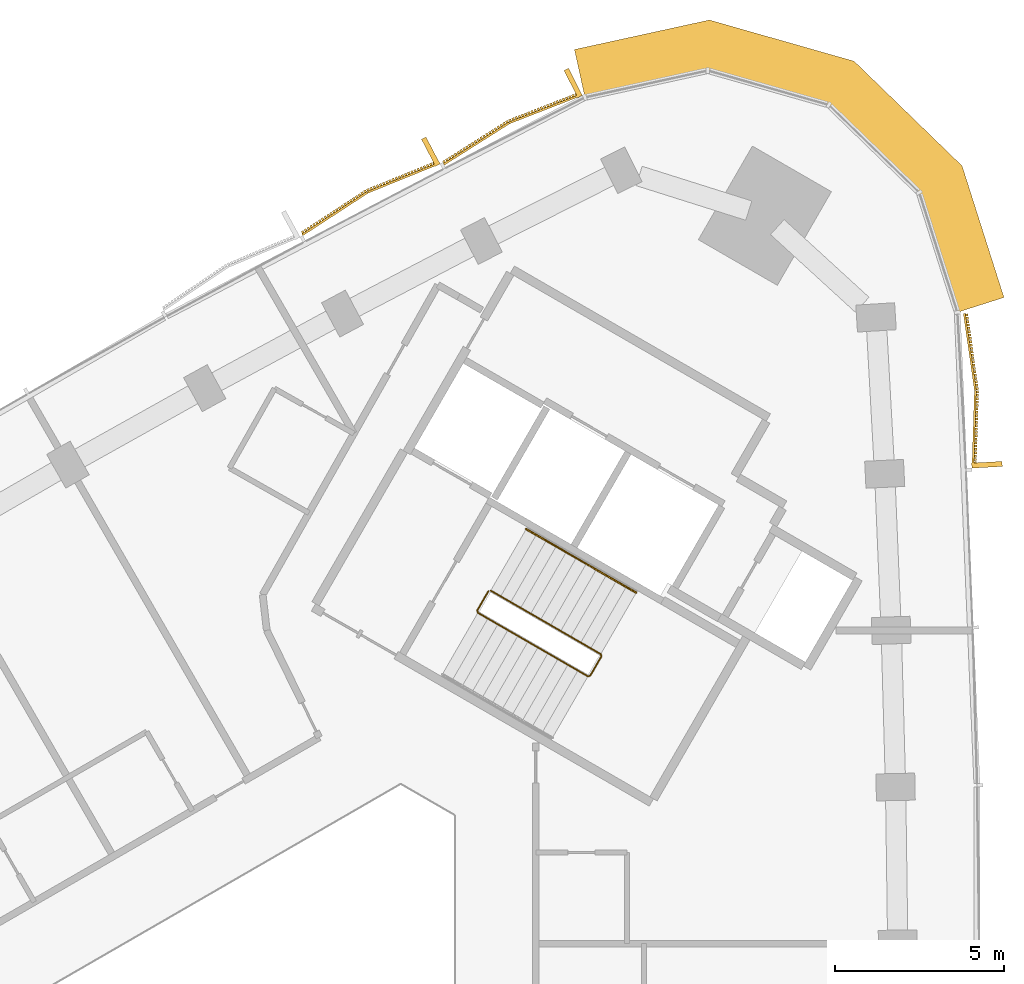
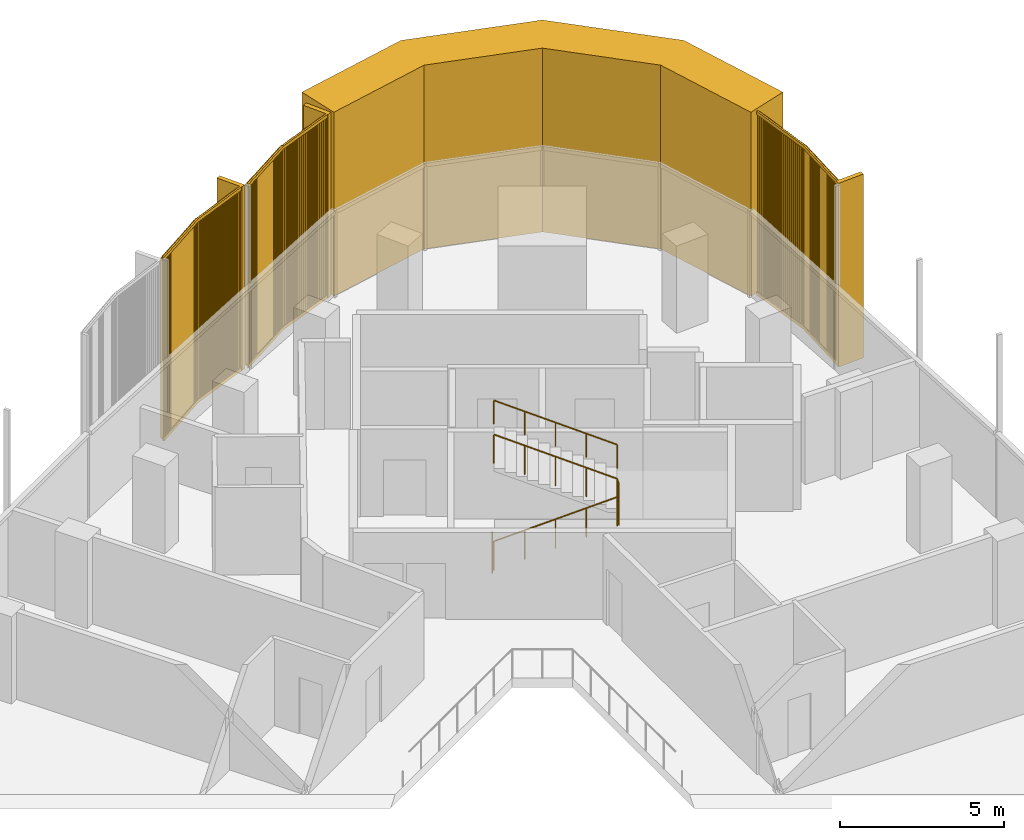
# One storey, part 13 of 13: 4 coverings, 2 railings.
"""IFC4 building model written with IfcOpenShell, lengths in metres."""

from ifc_helpers import new_model, si_unit, direction, frame, frame_2d, origin, origin_2d, place, context, subcontext, project, spatial, polyline, rectangle, circle, outline, extrude, source, transform, mapped, material, layer, layer_set, type_object, element, save


model = new_model("IFC4")

# Units and contexts
model_context = context("Model", 3, precision=1e-05, world=origin(), true_north=direction((0.0, 1.0)))
body_context = subcontext(model_context, "Body", "Model", "MODEL_VIEW")
ifc_project = project(units=[si_unit("LENGTHUNIT", "METRE"), si_unit("AREAUNIT", "SQUARE_METRE"), si_unit("VOLUMEUNIT", "CUBIC_METRE"), si_unit("PLANEANGLEUNIT", "RADIAN"), si_unit("MASSUNIT", "GRAM", prefix="KILO")], contexts=[model_context])

# Site, building, storey
site_placement = place(None, origin())
site = spatial("IfcSite", under=ifc_project, at=site_placement, CompositionType="ELEMENT")
building_placement = place(site_placement, origin())
building = spatial("IfcBuilding", under=site, at=building_placement, Name="Tamra Quay Hotel Tower", CompositionType="ELEMENT")
storey_placement = place(building_placement, frame((0.0, 0.0, 186.39990234375)))
storey = spatial("IfcBuildingStorey", under=building, at=storey_placement, Name="L46", CompositionType="ELEMENT", Elevation=186.39990234375)

# Covering
ifc_material_1 = material(Name="Precast concrete M60 terracotta-coloured", Category="masonry")
ifc_layer = layer(ifc_material_1, 1.449951171875)
ifc_layer_set = layer_set([ifc_layer], Name="CORNER PIER PANEL")
covering_type_1 = type_object("IfcCoveringType", Name="CORNER PIER PANEL", PredefinedType="CLADDING", material=ifc_layer_set)
covering_1_placement = place(storey_placement, origin())
element("IfcCovering", 1, at=covering_1_placement, inside=storey, type_object=covering_type_1, Name="Corner pier L46.east", PredefinedType="CLADDING", context=body_context, shape_type="SweptSolid", body=[
    extrude(outline(polyline([(19.4755859375, 21.00537109375), (20.857421875, 21.4453125), (19.616943359375, 25.3408203125), (16.419921875, 28.440185546875), (12.13720703125, 29.6591796875), (8.1435546875, 28.78564453125), (8.453369140625, 27.369140625), (12.091064453125, 28.164794921875), (15.67236328125, 27.1455078125), (18.345703125, 24.553466796875), (19.4755859375, 21.00537109375)])), origin(), (0.0, 0.0, 1.0), 6.85009765625),
])

# Railings
ifc_material_2 = material(Name="Stair guard 1100")
railing_type_1 = type_object("IfcRailingType", Name="Stair guard 1100", PredefinedType="GUARDRAIL", material=ifc_material_2)
railing_1_placement = place(storey_placement, frame((5.595458984375, 12.751953125, 0.0)))
element("IfcRailing", 2, at=railing_1_placement, inside=storey, type_object=railing_type_1, Name="GR", PredefinedType="GUARDRAIL", context=body_context, shape_type="SweptSolid", body=[
    extrude(circle(Radius=0.02392578125, at=origin_2d()), frame((0.0, 0.0, 1.076171875), z_axis=(-0.499765215335, -0.866160914346, 0.0), x_axis=(0.866160914346, -0.499765215335, 0.0)), (0.0, 0.0, 1.0), 0.658935546875),
    extrude(circle(Radius=0.02392578125, at=origin_2d()), frame((-0.329345703125, -0.57080078125, 1.076171875), z_axis=(0.110378772244, -0.410609032747, 0.905105932399), x_axis=(0.965715946433, 0.259601060869, 0.0)), (0.0, 0.0, 1.0), 0.165771484375),
    extrude(circle(Radius=0.02392578125, at=origin_2d()), frame((-0.31103515625, -0.638916015625, 1.22607421875), z_axis=(0.793078462799, -0.457933869594, 0.401650498471), x_axis=(0.500040788363, 0.866001853331, 0.0)), (0.0, 0.0, 1.0), 4.10791015625),
    extrude(circle(Radius=0.02392578125, at=origin_2d()), frame((2.94677734375, -2.52001953125, 2.8759765625), z_axis=(0.965948051503, 0.258736085224, 0.0), x_axis=(-0.258736085224, 0.965948051503, 0.0)), (0.0, 0.0, 1.0), 0.07080078125),
    extrude(circle(Radius=0.02392578125, at=origin_2d()), frame((3.01513671875, -2.501708984375, 2.8759765625), z_axis=(0.500043078269, 0.866000531106, 0.0), x_axis=(-0.866000531106, 0.500043078269, 0.0)), (0.0, 0.0, 1.0), 0.6591796875),
    extrude(circle(Radius=0.02392578125, at=origin_2d()), frame((3.3447265625, -1.930908203125, 2.8759765625), z_axis=(-0.110378772244, 0.410609032747, 0.905105932399), x_axis=(-0.965715946433, -0.259601060869, 0.0)), (0.0, 0.0, 1.0), 0.165771484375),
    extrude(circle(Radius=0.02392578125, at=origin_2d()), frame((3.326416015625, -1.86279296875, 3.0263671875), z_axis=(-0.793100512587, 0.457912285461, 0.401631567183), x_axis=(-0.500012686397, -0.866018079166, 0.0)), (0.0, 0.0, 1.0), 4.10791015625),
    extrude(circle(Radius=0.02099609375, at=origin_2d()), origin(), (0.0, 0.0, 1.0), 1.052001953125),
    extrude(circle(Radius=0.02099609375, at=origin_2d()), frame((-0.329345703125, -0.57080078125, 0.0)), (0.0, 0.0, 1.0), 1.052001953125),
    extrude(circle(Radius=0.02099609375, at=origin_2d()), frame((-0.31103515625, -0.638916015625, 0.150146484375)), (0.0, 0.0, 1.0), 1.052001953125),
    extrude(circle(Radius=0.02099609375, at=origin_2d()), frame((0.50341796875, -1.109130859375, 0.5625)), (0.0, 0.0, 1.0), 1.052001953125),
    extrude(circle(Radius=0.02099609375, at=origin_2d()), frame((1.31787109375, -1.57958984375, 0.97509765625)), (0.0, 0.0, 1.0), 1.052001953125),
    extrude(circle(Radius=0.02099609375, at=origin_2d()), frame((2.13232421875, -2.0498046875, 1.3876953125)), (0.0, 0.0, 1.0), 1.052001953125),
    extrude(circle(Radius=0.02099609375, at=origin_2d()), frame((2.94677734375, -2.52001953125, 1.800048828125)), (0.0, 0.0, 1.0), 1.052001953125),
    extrude(circle(Radius=0.02099609375, at=origin_2d()), frame((3.01513671875, -2.501708984375, 1.800048828125)), (0.0, 0.0, 1.0), 1.052001953125),
    extrude(circle(Radius=0.02099609375, at=origin_2d()), frame((3.3447265625, -1.930908203125, 1.800048828125)), (0.0, 0.0, 1.0), 1.052001953125),
    extrude(circle(Radius=0.02099609375, at=origin_2d()), frame((3.326416015625, -1.86279296875, 1.9501953125)), (0.0, 0.0, 1.0), 1.052001953125),
    extrude(circle(Radius=0.02099609375, at=origin_2d()), frame((2.511962890625, -1.392578125, 2.36279296875)), (0.0, 0.0, 1.0), 1.052001953125),
    extrude(circle(Radius=0.02099609375, at=origin_2d()), frame((1.697265625, -0.92236328125, 2.775146484375)), (0.0, 0.0, 1.0), 1.052001953125),
    extrude(circle(Radius=0.02099609375, at=origin_2d()), frame((0.8828125, -0.451904296875, 3.1875)), (0.0, 0.0, 1.0), 1.052001953125),
    extrude(circle(Radius=0.02099609375, at=origin_2d()), frame((0.068359375, 0.018310546875, 3.60009765625)), (0.0, 0.0, 1.0), 1.052001953125),
])
ifc_material_3 = material(Name="Stair handrail 900")
railing_type_2 = type_object("IfcRailingType", Name="Stair handrail 900", PredefinedType="HANDRAIL", material=ifc_material_3)
railing_2_placement = place(storey_placement, frame((9.971923828125, 12.7080078125, 1.9501953125)))
element("IfcRailing", 3, at=railing_2_placement, inside=storey, type_object=railing_type_2, Name="HR", PredefinedType="HANDRAIL", context=body_context, shape_type="SweptSolid", body=[
    extrude(circle(Radius=0.02392578125, at=origin_2d()), frame((0.0, 0.0, 0.8759765625), z_axis=(-0.793122095483, 0.45786531462, 0.401642496911), x_axis=(-0.499964013922, -0.86604617936, 0.0)), (0.0, 0.0, 1.0), 4.10791015625),
    extrude(circle(Radius=0.02099609375, at=origin_2d()), origin(), (0.0, 0.0, 1.0), 0.851806640625),
    extrude(circle(Radius=0.02099609375, at=origin_2d()), frame((-0.814453125, 0.47021484375, 0.41259765625)), (0.0, 0.0, 1.0), 0.851806640625),
    extrude(circle(Radius=0.02099609375, at=origin_2d()), frame((-1.62890625, 0.9404296875, 0.824951171875)), (0.0, 0.0, 1.0), 0.851806640625),
    extrude(circle(Radius=0.02099609375, at=origin_2d()), frame((-2.443603515625, 1.41064453125, 1.2373046875)), (0.0, 0.0, 1.0), 0.851806640625),
    extrude(circle(Radius=0.02099609375, at=origin_2d()), frame((-3.258056640625, 1.880859375, 1.64990234375)), (0.0, 0.0, 1.0), 0.851806640625),
])

# Coverings
ifc_material_4 = material(Name="Terracotta baguette extruded", Category="masonry")
covering_type_2 = type_object("IfcCoveringType", Name="BAGUETTE SCREEN E-V H6850", PredefinedType="USERDEFINED", material=ifc_material_4)
shared_shape_1 = source(origin(), body_context, "Body", "SweptSolid", [
    extrude(rectangle(XDim=2.30126953125, YDim=0.06005859375, at=frame_2d((1.150634765625, 0.030029296875))), frame((-2.2978515625, -0.057861328125, -0.1201171875), z_axis=(0.0, 0.0, 1.0), x_axis=(0.996194698092, -0.087155742748, 0.0)), (0.0, 0.0, 1.0), 0.1201171875),
    extrude(rectangle(XDim=2.30126953125, YDim=0.06005859375, at=frame_2d((1.150634765625, 0.030029296875))), frame((-2.2978515625, -0.057861328125, -6.85009765625), z_axis=(0.0, 0.0, 1.0), x_axis=(0.996194698092, -0.087155742748, 0.0)), (0.0, 0.0, 1.0), 0.1201171875),
    extrude(rectangle(XDim=0.070068359375, YDim=0.10009765625, at=frame_2d((0.03515625, 0.050048828125))), frame((-2.277587890625, -0.13232421875, -6.7900390625)), (0.0, 0.0, 1.0), 6.72998046875),
    extrude(rectangle(XDim=0.070068359375, YDim=0.10009765625, at=frame_2d((0.03515625, 0.050048828125))), frame((-2.177978515625, -0.14111328125, -6.7900390625)), (0.0, 0.0, 1.0), 6.72998046875),
    extrude(rectangle(XDim=0.070068359375, YDim=0.10009765625, at=frame_2d((0.03515625, 0.050048828125))), frame((-2.078369140625, -0.14990234375, -6.7900390625)), (0.0, 0.0, 1.0), 6.72998046875),
    extrude(rectangle(XDim=0.070068359375, YDim=0.10009765625, at=frame_2d((0.03515625, 0.050048828125))), frame((-1.978759765625, -0.158447265625, -6.7900390625)), (0.0, 0.0, 1.0), 6.72998046875),
    extrude(rectangle(XDim=0.070068359375, YDim=0.10009765625, at=frame_2d((0.03515625, 0.050048828125))), frame((-1.87890625, -0.167236328125, -6.7900390625)), (0.0, 0.0, 1.0), 6.72998046875),
    extrude(rectangle(XDim=0.070068359375, YDim=0.10009765625, at=frame_2d((0.03515625, 0.050048828125))), frame((-1.779296875, -0.176025390625, -6.7900390625)), (0.0, 0.0, 1.0), 6.72998046875),
    extrude(rectangle(XDim=0.070068359375, YDim=0.10009765625, at=frame_2d((0.03515625, 0.050048828125))), frame((-1.6796875, -0.1845703125, -6.7900390625)), (0.0, 0.0, 1.0), 6.72998046875),
    extrude(rectangle(XDim=0.070068359375, YDim=0.10009765625, at=frame_2d((0.03515625, 0.050048828125))), frame((-1.579833984375, -0.193359375, -6.7900390625)), (0.0, 0.0, 1.0), 6.72998046875),
    extrude(rectangle(XDim=0.070068359375, YDim=0.10009765625, at=frame_2d((0.03515625, 0.050048828125))), frame((-1.480224609375, -0.2021484375, -6.7900390625)), (0.0, 0.0, 1.0), 6.72998046875),
    extrude(rectangle(XDim=0.070068359375, YDim=0.10009765625, at=frame_2d((0.03515625, 0.050048828125))), frame((-1.380615234375, -0.2109375, -6.7900390625)), (0.0, 0.0, 1.0), 6.72998046875),
    extrude(rectangle(XDim=0.070068359375, YDim=0.10009765625, at=frame_2d((0.03515625, 0.050048828125))), frame((-1.281005859375, -0.219482421875, -6.7900390625)), (0.0, 0.0, 1.0), 6.72998046875),
    extrude(rectangle(XDim=0.070068359375, YDim=0.10009765625, at=frame_2d((0.03515625, 0.050048828125))), frame((-1.18115234375, -0.228271484375, -6.7900390625)), (0.0, 0.0, 1.0), 6.72998046875),
    extrude(rectangle(XDim=0.070068359375, YDim=0.10009765625, at=frame_2d((0.03515625, 0.050048828125))), frame((-1.08154296875, -0.237060546875, -6.7900390625)), (0.0, 0.0, 1.0), 6.72998046875),
    extrude(rectangle(XDim=0.070068359375, YDim=0.10009765625, at=frame_2d((0.03515625, 0.050048828125))), frame((-0.98193359375, -0.24560546875, -6.7900390625)), (0.0, 0.0, 1.0), 6.72998046875),
    extrude(rectangle(XDim=0.070068359375, YDim=0.10009765625, at=frame_2d((0.03515625, 0.050048828125))), frame((-0.88232421875, -0.25439453125, -6.7900390625)), (0.0, 0.0, 1.0), 6.72998046875),
    extrude(rectangle(XDim=0.070068359375, YDim=0.10009765625, at=frame_2d((0.03515625, 0.050048828125))), frame((-0.782470703125, -0.26318359375, -6.7900390625)), (0.0, 0.0, 1.0), 6.72998046875),
    extrude(rectangle(XDim=0.070068359375, YDim=0.10009765625, at=frame_2d((0.03515625, 0.050048828125))), frame((-0.682861328125, -0.27197265625, -6.7900390625)), (0.0, 0.0, 1.0), 6.72998046875),
    extrude(rectangle(XDim=0.070068359375, YDim=0.10009765625, at=frame_2d((0.03515625, 0.050048828125))), frame((-0.583251953125, -0.280517578125, -6.7900390625)), (0.0, 0.0, 1.0), 6.72998046875),
    extrude(rectangle(XDim=0.070068359375, YDim=0.10009765625, at=frame_2d((0.03515625, 0.050048828125))), frame((-0.483642578125, -0.289306640625, -6.7900390625)), (0.0, 0.0, 1.0), 6.72998046875),
    extrude(rectangle(XDim=0.070068359375, YDim=0.10009765625, at=frame_2d((0.03515625, 0.050048828125))), frame((-0.3837890625, -0.298095703125, -6.7900390625)), (0.0, 0.0, 1.0), 6.72998046875),
    extrude(rectangle(XDim=0.070068359375, YDim=0.10009765625, at=frame_2d((0.03515625, 0.050048828125))), frame((-0.2841796875, -0.306884765625, -6.7900390625)), (0.0, 0.0, 1.0), 6.72998046875),
    extrude(rectangle(XDim=0.070068359375, YDim=0.10009765625, at=frame_2d((0.03515625, 0.050048828125))), frame((-0.1845703125, -0.3154296875, -6.7900390625)), (0.0, 0.0, 1.0), 6.72998046875),
    extrude(rectangle(XDim=0.070068359375, YDim=0.10009765625, at=frame_2d((0.03515625, 0.050048828125))), frame((-0.0849609375, -0.32421875, -6.7900390625)), (0.0, 0.0, 1.0), 6.72998046875),
    extrude(rectangle(XDim=2.30126953125, YDim=0.06005859375, at=frame_2d((1.150634765625, 0.030029296875))), frame((0.005126953125, -0.25830078125, -0.1201171875), z_axis=(0.0, 0.0, 1.0), x_axis=(0.996194698092, 0.087155742748, 0.0)), (0.0, 0.0, 1.0), 0.1201171875),
    extrude(rectangle(XDim=2.30126953125, YDim=0.06005859375, at=frame_2d((1.150634765625, 0.030029296875))), frame((0.005126953125, -0.25830078125, -6.85009765625), z_axis=(0.0, 0.0, 1.0), x_axis=(0.996194698092, 0.087155742748, 0.0)), (0.0, 0.0, 1.0), 0.1201171875),
    extrude(rectangle(XDim=0.070068359375, YDim=0.10009765625, at=frame_2d((0.03515625, 0.050048828125))), frame((0.014892578125, -0.32421875, -6.7900390625)), (0.0, 0.0, 1.0), 6.72998046875),
    extrude(rectangle(XDim=0.070068359375, YDim=0.10009765625, at=frame_2d((0.03515625, 0.050048828125))), frame((0.114501953125, -0.3154296875, -6.7900390625)), (0.0, 0.0, 1.0), 6.72998046875),
    extrude(rectangle(XDim=0.070068359375, YDim=0.10009765625, at=frame_2d((0.03515625, 0.050048828125))), frame((0.214111328125, -0.306884765625, -6.7900390625)), (0.0, 0.0, 1.0), 6.72998046875),
    extrude(rectangle(XDim=0.070068359375, YDim=0.10009765625, at=frame_2d((0.03515625, 0.050048828125))), frame((0.31396484375, -0.298095703125, -6.7900390625)), (0.0, 0.0, 1.0), 6.72998046875),
    extrude(rectangle(XDim=0.070068359375, YDim=0.10009765625, at=frame_2d((0.03515625, 0.050048828125))), frame((0.41357421875, -0.289306640625, -6.7900390625)), (0.0, 0.0, 1.0), 6.72998046875),
    extrude(rectangle(XDim=0.070068359375, YDim=0.10009765625, at=frame_2d((0.03515625, 0.050048828125))), frame((0.51318359375, -0.280517578125, -6.7900390625)), (0.0, 0.0, 1.0), 6.72998046875),
    extrude(rectangle(XDim=0.070068359375, YDim=0.10009765625, at=frame_2d((0.03515625, 0.050048828125))), frame((0.61279296875, -0.27197265625, -6.7900390625)), (0.0, 0.0, 1.0), 6.72998046875),
    extrude(rectangle(XDim=0.070068359375, YDim=0.10009765625, at=frame_2d((0.03515625, 0.050048828125))), frame((0.712646484375, -0.26318359375, -6.7900390625)), (0.0, 0.0, 1.0), 6.72998046875),
    extrude(rectangle(XDim=0.070068359375, YDim=0.10009765625, at=frame_2d((0.03515625, 0.050048828125))), frame((0.812255859375, -0.25439453125, -6.7900390625)), (0.0, 0.0, 1.0), 6.72998046875),
    extrude(rectangle(XDim=0.070068359375, YDim=0.10009765625, at=frame_2d((0.03515625, 0.050048828125))), frame((0.911865234375, -0.24560546875, -6.7900390625)), (0.0, 0.0, 1.0), 6.72998046875),
    extrude(rectangle(XDim=0.070068359375, YDim=0.10009765625, at=frame_2d((0.03515625, 0.050048828125))), frame((1.011474609375, -0.237060546875, -6.7900390625)), (0.0, 0.0, 1.0), 6.72998046875),
    extrude(rectangle(XDim=0.070068359375, YDim=0.10009765625, at=frame_2d((0.03515625, 0.050048828125))), frame((1.111328125, -0.228271484375, -6.7900390625)), (0.0, 0.0, 1.0), 6.72998046875),
    extrude(rectangle(XDim=0.070068359375, YDim=0.10009765625, at=frame_2d((0.03515625, 0.050048828125))), frame((1.2109375, -0.219482421875, -6.7900390625)), (0.0, 0.0, 1.0), 6.72998046875),
    extrude(rectangle(XDim=0.070068359375, YDim=0.10009765625, at=frame_2d((0.03515625, 0.050048828125))), frame((1.310546875, -0.2109375, -6.7900390625)), (0.0, 0.0, 1.0), 6.72998046875),
    extrude(rectangle(XDim=0.070068359375, YDim=0.10009765625, at=frame_2d((0.03515625, 0.050048828125))), frame((1.41015625, -0.2021484375, -6.7900390625)), (0.0, 0.0, 1.0), 6.72998046875),
    extrude(rectangle(XDim=0.070068359375, YDim=0.10009765625, at=frame_2d((0.03515625, 0.050048828125))), frame((1.510009765625, -0.193359375, -6.7900390625)), (0.0, 0.0, 1.0), 6.72998046875),
    extrude(rectangle(XDim=0.070068359375, YDim=0.10009765625, at=frame_2d((0.03515625, 0.050048828125))), frame((1.609619140625, -0.1845703125, -6.7900390625)), (0.0, 0.0, 1.0), 6.72998046875),
    extrude(rectangle(XDim=0.070068359375, YDim=0.10009765625, at=frame_2d((0.03515625, 0.050048828125))), frame((1.709228515625, -0.176025390625, -6.7900390625)), (0.0, 0.0, 1.0), 6.72998046875),
    extrude(rectangle(XDim=0.070068359375, YDim=0.10009765625, at=frame_2d((0.03515625, 0.050048828125))), frame((1.80908203125, -0.167236328125, -6.7900390625)), (0.0, 0.0, 1.0), 6.72998046875),
    extrude(rectangle(XDim=0.070068359375, YDim=0.10009765625, at=frame_2d((0.03515625, 0.050048828125))), frame((1.90869140625, -0.158447265625, -6.7900390625)), (0.0, 0.0, 1.0), 6.72998046875),
    extrude(rectangle(XDim=0.070068359375, YDim=0.10009765625, at=frame_2d((0.03515625, 0.050048828125))), frame((2.00830078125, -0.14990234375, -6.7900390625)), (0.0, 0.0, 1.0), 6.72998046875),
    extrude(rectangle(XDim=0.070068359375, YDim=0.10009765625, at=frame_2d((0.03515625, 0.050048828125))), frame((2.10791015625, -0.14111328125, -6.7900390625)), (0.0, 0.0, 1.0), 6.72998046875),
    extrude(rectangle(XDim=0.070068359375, YDim=0.10009765625, at=frame_2d((0.03515625, 0.050048828125))), frame((2.207763671875, -0.13232421875, -6.7900390625)), (0.0, 0.0, 1.0), 6.72998046875),
    extrude(rectangle(XDim=0.14990234375, YDim=0.902099609375, at=frame_2d((0.074951171875, 0.451171875))), frame((-2.29248046875, -0.89990234375, -6.85009765625)), (0.0, 0.0, 1.0), 6.85009765625),
])
covering_2_placement = place(storey_placement, frame((19.78271484375, 18.68359375, 6.85009765625), z_axis=(0.0, 0.0, 1.0), x_axis=(-0.055416308058, 0.998463335732, 0.0)))
element("IfcCovering", 4, at=covering_2_placement, inside=storey, type_object=covering_type_2, Name="Baguette screen L46.E.f08", ObjectType="BAGUETTE SCREEN", PredefinedType="USERDEFINED", context=body_context, shape_type="MappedRepresentation", body=[
    mapped(shared_shape_1, transform((0.0, 0.0, 0.0), scale=1.0)),
])
covering_type_3 = type_object("IfcCoveringType", Name="BAGUETTE SCREEN NW-V H6850", PredefinedType="USERDEFINED", material=ifc_material_4)
shared_shape_2 = source(origin(), body_context, "Body", "SweptSolid", [
    extrude(rectangle(XDim=2.302978515625, YDim=0.06005859375, at=frame_2d((1.1513671875, 0.030029296875))), frame((-2.29833984375, -0.0576171875, -0.1201171875), z_axis=(0.0, 0.0, 1.0), x_axis=(0.995396198367, -0.09584575252, 0.0)), (0.0, 0.0, 1.0), 0.1201171875),
    extrude(rectangle(XDim=2.302978515625, YDim=0.06005859375, at=frame_2d((1.1513671875, 0.030029296875))), frame((-2.29833984375, -0.0576171875, -6.85009765625), z_axis=(0.0, 0.0, 1.0), x_axis=(0.995396198367, -0.09584575252, 0.0)), (0.0, 0.0, 1.0), 0.1201171875),
    extrude(rectangle(XDim=0.070068359375, YDim=0.10009765625, at=frame_2d((0.03515625, 0.050048828125))), frame((-2.277587890625, -0.1328125, -6.7900390625)), (0.0, 0.0, 1.0), 6.72998046875),
    extrude(rectangle(XDim=0.070068359375, YDim=0.10009765625, at=frame_2d((0.03515625, 0.050048828125))), frame((-2.177978515625, -0.142333984375, -6.7900390625)), (0.0, 0.0, 1.0), 6.72998046875),
    extrude(rectangle(XDim=0.070068359375, YDim=0.10009765625, at=frame_2d((0.03515625, 0.050048828125))), frame((-2.078369140625, -0.152099609375, -6.7900390625)), (0.0, 0.0, 1.0), 6.72998046875),
    extrude(rectangle(XDim=0.070068359375, YDim=0.10009765625, at=frame_2d((0.03515625, 0.050048828125))), frame((-1.978759765625, -0.16162109375, -6.7900390625)), (0.0, 0.0, 1.0), 6.72998046875),
    extrude(rectangle(XDim=0.070068359375, YDim=0.10009765625, at=frame_2d((0.03515625, 0.050048828125))), frame((-1.87890625, -0.171142578125, -6.7900390625)), (0.0, 0.0, 1.0), 6.72998046875),
    extrude(rectangle(XDim=0.070068359375, YDim=0.10009765625, at=frame_2d((0.03515625, 0.050048828125))), frame((-1.779296875, -0.180908203125, -6.7900390625)), (0.0, 0.0, 1.0), 6.72998046875),
    extrude(rectangle(XDim=0.070068359375, YDim=0.10009765625, at=frame_2d((0.03515625, 0.050048828125))), frame((-1.6796875, -0.1904296875, -6.7900390625)), (0.0, 0.0, 1.0), 6.72998046875),
    extrude(rectangle(XDim=0.070068359375, YDim=0.10009765625, at=frame_2d((0.03515625, 0.050048828125))), frame((-1.579833984375, -0.199951171875, -6.7900390625)), (0.0, 0.0, 1.0), 6.72998046875),
    extrude(rectangle(XDim=0.070068359375, YDim=0.10009765625, at=frame_2d((0.03515625, 0.050048828125))), frame((-1.480224609375, -0.20947265625, -6.7900390625)), (0.0, 0.0, 1.0), 6.72998046875),
    extrude(rectangle(XDim=0.070068359375, YDim=0.10009765625, at=frame_2d((0.03515625, 0.050048828125))), frame((-1.380615234375, -0.21923828125, -6.7900390625)), (0.0, 0.0, 1.0), 6.72998046875),
    extrude(rectangle(XDim=0.070068359375, YDim=0.10009765625, at=frame_2d((0.03515625, 0.050048828125))), frame((-1.281005859375, -0.228759765625, -6.7900390625)), (0.0, 0.0, 1.0), 6.72998046875),
    extrude(rectangle(XDim=0.070068359375, YDim=0.10009765625, at=frame_2d((0.03515625, 0.050048828125))), frame((-1.18115234375, -0.23828125, -6.7900390625)), (0.0, 0.0, 1.0), 6.72998046875),
    extrude(rectangle(XDim=0.070068359375, YDim=0.10009765625, at=frame_2d((0.03515625, 0.050048828125))), frame((-1.08154296875, -0.248046875, -6.7900390625)), (0.0, 0.0, 1.0), 6.72998046875),
    extrude(rectangle(XDim=0.070068359375, YDim=0.10009765625, at=frame_2d((0.03515625, 0.050048828125))), frame((-0.98193359375, -0.257568359375, -6.7900390625)), (0.0, 0.0, 1.0), 6.72998046875),
    extrude(rectangle(XDim=0.070068359375, YDim=0.10009765625, at=frame_2d((0.03515625, 0.050048828125))), frame((-0.88232421875, -0.26708984375, -6.7900390625)), (0.0, 0.0, 1.0), 6.72998046875),
    extrude(rectangle(XDim=0.070068359375, YDim=0.10009765625, at=frame_2d((0.03515625, 0.050048828125))), frame((-0.782470703125, -0.27685546875, -6.7900390625)), (0.0, 0.0, 1.0), 6.72998046875),
    extrude(rectangle(XDim=0.070068359375, YDim=0.10009765625, at=frame_2d((0.03515625, 0.050048828125))), frame((-0.682861328125, -0.286376953125, -6.7900390625)), (0.0, 0.0, 1.0), 6.72998046875),
    extrude(rectangle(XDim=0.070068359375, YDim=0.10009765625, at=frame_2d((0.03515625, 0.050048828125))), frame((-0.583251953125, -0.2958984375, -6.7900390625)), (0.0, 0.0, 1.0), 6.72998046875),
    extrude(rectangle(XDim=0.070068359375, YDim=0.10009765625, at=frame_2d((0.03515625, 0.050048828125))), frame((-0.483642578125, -0.3056640625, -6.7900390625)), (0.0, 0.0, 1.0), 6.72998046875),
    extrude(rectangle(XDim=0.070068359375, YDim=0.10009765625, at=frame_2d((0.03515625, 0.050048828125))), frame((-0.3837890625, -0.315185546875, -6.7900390625)), (0.0, 0.0, 1.0), 6.72998046875),
    extrude(rectangle(XDim=0.070068359375, YDim=0.10009765625, at=frame_2d((0.03515625, 0.050048828125))), frame((-0.2841796875, -0.32470703125, -6.7900390625)), (0.0, 0.0, 1.0), 6.72998046875),
    extrude(rectangle(XDim=0.070068359375, YDim=0.10009765625, at=frame_2d((0.03515625, 0.050048828125))), frame((-0.1845703125, -0.334228515625, -6.7900390625)), (0.0, 0.0, 1.0), 6.72998046875),
    extrude(rectangle(XDim=0.070068359375, YDim=0.10009765625, at=frame_2d((0.03515625, 0.050048828125))), frame((-0.0849609375, -0.343994140625, -6.7900390625)), (0.0, 0.0, 1.0), 6.72998046875),
    extrude(rectangle(XDim=2.302978515625, YDim=0.06005859375, at=frame_2d((1.1513671875, 0.030029296875))), frame((0.005859375, -0.278564453125, -0.1201171875), z_axis=(0.0, 0.0, 1.0), x_axis=(0.995396198367, 0.09584575252, 0.0)), (0.0, 0.0, 1.0), 0.1201171875),
    extrude(rectangle(XDim=2.302978515625, YDim=0.06005859375, at=frame_2d((1.1513671875, 0.030029296875))), frame((0.005859375, -0.278564453125, -6.85009765625), z_axis=(0.0, 0.0, 1.0), x_axis=(0.995396198367, 0.09584575252, 0.0)), (0.0, 0.0, 1.0), 0.1201171875),
    extrude(rectangle(XDim=0.070068359375, YDim=0.10009765625, at=frame_2d((0.03515625, 0.050048828125))), frame((0.014892578125, -0.343994140625, -6.7900390625)), (0.0, 0.0, 1.0), 6.72998046875),
    extrude(rectangle(XDim=0.070068359375, YDim=0.10009765625, at=frame_2d((0.03515625, 0.050048828125))), frame((0.114501953125, -0.334228515625, -6.7900390625)), (0.0, 0.0, 1.0), 6.72998046875),
    extrude(rectangle(XDim=0.070068359375, YDim=0.10009765625, at=frame_2d((0.03515625, 0.050048828125))), frame((0.214111328125, -0.32470703125, -6.7900390625)), (0.0, 0.0, 1.0), 6.72998046875),
    extrude(rectangle(XDim=0.070068359375, YDim=0.10009765625, at=frame_2d((0.03515625, 0.050048828125))), frame((0.31396484375, -0.315185546875, -6.7900390625)), (0.0, 0.0, 1.0), 6.72998046875),
    extrude(rectangle(XDim=0.070068359375, YDim=0.10009765625, at=frame_2d((0.03515625, 0.050048828125))), frame((0.41357421875, -0.3056640625, -6.7900390625)), (0.0, 0.0, 1.0), 6.72998046875),
    extrude(rectangle(XDim=0.070068359375, YDim=0.10009765625, at=frame_2d((0.03515625, 0.050048828125))), frame((0.51318359375, -0.2958984375, -6.7900390625)), (0.0, 0.0, 1.0), 6.72998046875),
    extrude(rectangle(XDim=0.070068359375, YDim=0.10009765625, at=frame_2d((0.03515625, 0.050048828125))), frame((0.61279296875, -0.286376953125, -6.7900390625)), (0.0, 0.0, 1.0), 6.72998046875),
    extrude(rectangle(XDim=0.070068359375, YDim=0.10009765625, at=frame_2d((0.03515625, 0.050048828125))), frame((0.712646484375, -0.27685546875, -6.7900390625)), (0.0, 0.0, 1.0), 6.72998046875),
    extrude(rectangle(XDim=0.070068359375, YDim=0.10009765625, at=frame_2d((0.03515625, 0.050048828125))), frame((0.812255859375, -0.26708984375, -6.7900390625)), (0.0, 0.0, 1.0), 6.72998046875),
    extrude(rectangle(XDim=0.070068359375, YDim=0.10009765625, at=frame_2d((0.03515625, 0.050048828125))), frame((0.911865234375, -0.257568359375, -6.7900390625)), (0.0, 0.0, 1.0), 6.72998046875),
    extrude(rectangle(XDim=0.070068359375, YDim=0.10009765625, at=frame_2d((0.03515625, 0.050048828125))), frame((1.011474609375, -0.248046875, -6.7900390625)), (0.0, 0.0, 1.0), 6.72998046875),
    extrude(rectangle(XDim=0.070068359375, YDim=0.10009765625, at=frame_2d((0.03515625, 0.050048828125))), frame((1.111328125, -0.23828125, -6.7900390625)), (0.0, 0.0, 1.0), 6.72998046875),
    extrude(rectangle(XDim=0.070068359375, YDim=0.10009765625, at=frame_2d((0.03515625, 0.050048828125))), frame((1.2109375, -0.228759765625, -6.7900390625)), (0.0, 0.0, 1.0), 6.72998046875),
    extrude(rectangle(XDim=0.070068359375, YDim=0.10009765625, at=frame_2d((0.03515625, 0.050048828125))), frame((1.310546875, -0.21923828125, -6.7900390625)), (0.0, 0.0, 1.0), 6.72998046875),
    extrude(rectangle(XDim=0.070068359375, YDim=0.10009765625, at=frame_2d((0.03515625, 0.050048828125))), frame((1.41015625, -0.20947265625, -6.7900390625)), (0.0, 0.0, 1.0), 6.72998046875),
    extrude(rectangle(XDim=0.070068359375, YDim=0.10009765625, at=frame_2d((0.03515625, 0.050048828125))), frame((1.510009765625, -0.199951171875, -6.7900390625)), (0.0, 0.0, 1.0), 6.72998046875),
    extrude(rectangle(XDim=0.070068359375, YDim=0.10009765625, at=frame_2d((0.03515625, 0.050048828125))), frame((1.609619140625, -0.1904296875, -6.7900390625)), (0.0, 0.0, 1.0), 6.72998046875),
    extrude(rectangle(XDim=0.070068359375, YDim=0.10009765625, at=frame_2d((0.03515625, 0.050048828125))), frame((1.709228515625, -0.180908203125, -6.7900390625)), (0.0, 0.0, 1.0), 6.72998046875),
    extrude(rectangle(XDim=0.070068359375, YDim=0.10009765625, at=frame_2d((0.03515625, 0.050048828125))), frame((1.80908203125, -0.171142578125, -6.7900390625)), (0.0, 0.0, 1.0), 6.72998046875),
    extrude(rectangle(XDim=0.070068359375, YDim=0.10009765625, at=frame_2d((0.03515625, 0.050048828125))), frame((1.90869140625, -0.16162109375, -6.7900390625)), (0.0, 0.0, 1.0), 6.72998046875),
    extrude(rectangle(XDim=0.070068359375, YDim=0.10009765625, at=frame_2d((0.03515625, 0.050048828125))), frame((2.00830078125, -0.152099609375, -6.7900390625)), (0.0, 0.0, 1.0), 6.72998046875),
    extrude(rectangle(XDim=0.070068359375, YDim=0.10009765625, at=frame_2d((0.03515625, 0.050048828125))), frame((2.10791015625, -0.142333984375, -6.7900390625)), (0.0, 0.0, 1.0), 6.72998046875),
    extrude(rectangle(XDim=0.070068359375, YDim=0.10009765625, at=frame_2d((0.03515625, 0.050048828125))), frame((2.207763671875, -0.1328125, -6.7900390625)), (0.0, 0.0, 1.0), 6.72998046875),
    extrude(rectangle(XDim=0.14990234375, YDim=0.902099609375, at=frame_2d((0.074951171875, 0.451171875))), frame((-2.29248046875, -0.89990234375, -6.85009765625)), (0.0, 0.0, 1.0), 6.85009765625),
])
for number, where, z_axis, x_axis, name in (
    (5, (6.32958984375, 26.393798828125, 6.85009765625), (0.0, 0.0, 1.0), (-0.89240276752, -0.451239737304, 0.0), "Baguette screen L46.NW.f00"),
    (6, (2.13330078125, 24.336669921875, 6.85009765625), (0.0, 0.0, 1.0), (-0.886075332211, -0.46354126639, 0.0), "Baguette screen L46.NW.f01"),
):
    element("IfcCovering", number, at=place(storey_placement, frame(where, z_axis=z_axis, x_axis=x_axis)), inside=storey, type_object=covering_type_3, Name=name, ObjectType="BAGUETTE SCREEN", PredefinedType="USERDEFINED", context=body_context, shape_type="MappedRepresentation", body=[
        mapped(shared_shape_2, transform((0.0, 0.0, 0.0), scale=1.0)),
    ])

save(model, "model.ifc")
